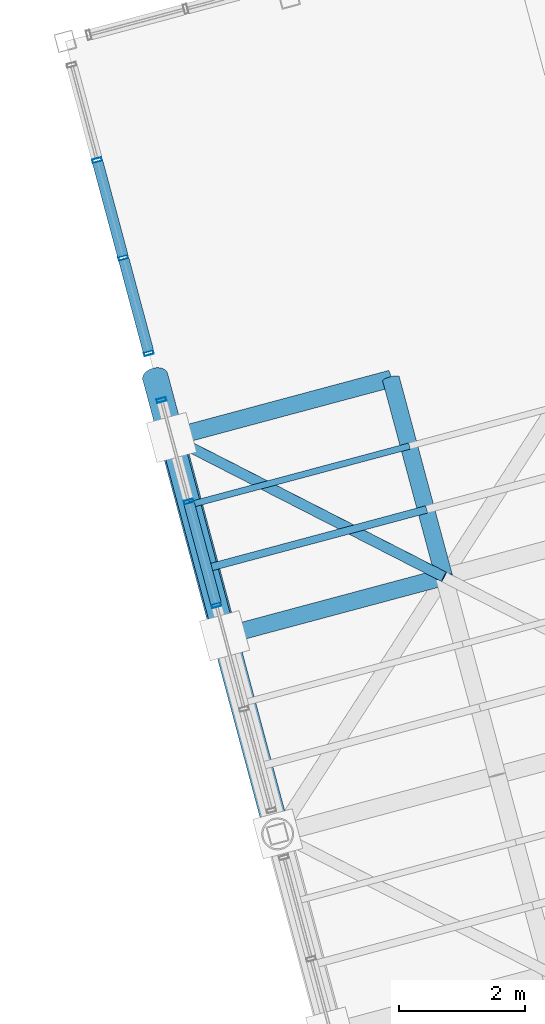
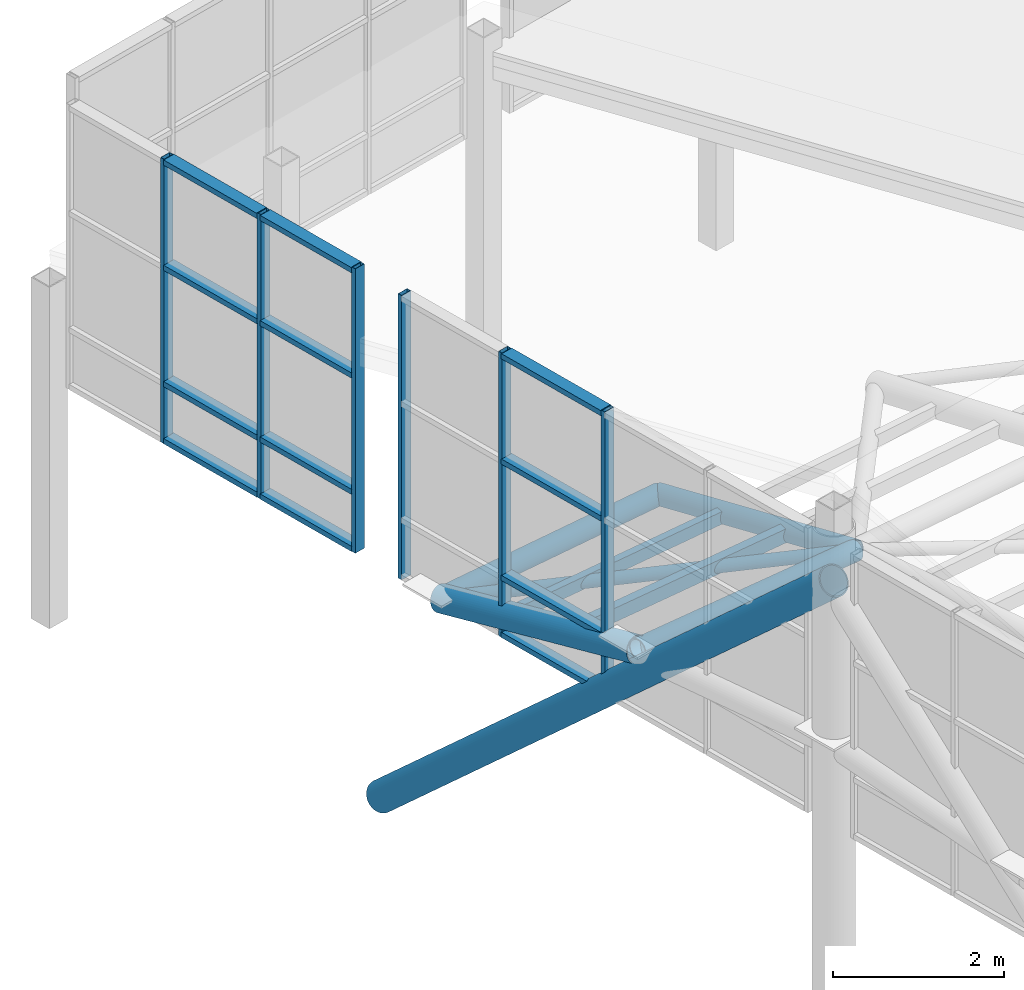
# One storey, part 7 of 28: 26 members, 2 elements without a shape of their own.
"""IFC4 building model written with IfcOpenShell, lengths in metres."""

from ifc_helpers import new_model, si_unit, direction, frame, origin, origin_2d, place, context, subcontext, project, spatial, hollow_rectangle, hollow_circle, extrude, material, layer, layer_set, material_profile, profile_set, type_object, element, aggregate, save


model = new_model("IFC4")

# Units and contexts
model_context = context("Model", 3, precision=1e-05, world=origin(), true_north=direction((0.0, 1.0)))
body_context = subcontext(model_context, "Body", "Model", "MODEL_VIEW")
ifc_project = project(units=[si_unit("LENGTHUNIT", "METRE"), si_unit("AREAUNIT", "SQUARE_METRE"), si_unit("VOLUMEUNIT", "CUBIC_METRE"), si_unit("PLANEANGLEUNIT", "RADIAN"), si_unit("MASSUNIT", "GRAM", prefix="KILO")], contexts=[model_context])

# Site, building, storey
site_placement = place(None, origin())
site = spatial("IfcSite", under=ifc_project, at=site_placement, CompositionType="ELEMENT")
building_placement = place(site_placement, origin())
building = spatial("IfcBuilding", under=site, at=building_placement, Name="Ventoquebrada Cableway Terminal", CompositionType="ELEMENT")
storey_placement = place(building_placement, frame((0.0, 0.0, 23.39990234375)))
storey = spatial("IfcBuildingStorey", under=building, at=storey_placement, Name="RF", CompositionType="ELEMENT", Elevation=23.39990234375)

# Members
ifc_material_1 = material(Name="Steel ASTM A500 Grade C", Category="steel")
ifc_material_profile_1 = material_profile(ifc_material_1, hollow_circle(Radius=0.084228515625, WallThickness=0.008056640625, at=origin_2d()), Name="CHS168.3X8")
ifc_profile_set_1 = profile_set([ifc_material_profile_1], Name="Steel ASTM A500 Grade C")
member_type_1 = type_object("IfcMemberType", Name="BRC-GS02", PredefinedType="BRACE", material=ifc_profile_set_1)
member_1_placement = place(storey_placement, frame((46.930908203125, 88.6201171875, -0.06982421875), z_axis=(0.885458483806, -0.45266443545, 0.105157892402), x_axis=(0.455188209039, 0.890395246142, 0.0)))
element("IfcMember", 1, at=member_1_placement, inside=storey, type_object=member_type_1, Name="Saddle gridshell diagrid brace GBR-0208", PredefinedType="BRACE", context=body_context, shape_type="SweptSolid", body=[
    extrude(hollow_circle(Radius=0.084228515625, WallThickness=0.008056640625, at=origin_2d()), origin(), (0.0, 0.0, 1.0), 4.877685546875),
])
ifc_material_profile_2 = material_profile(ifc_material_1, hollow_circle(Radius=0.177734375, WallThickness=0.012451171875, at=origin_2d()), Name="CHS355.6X12.5")
ifc_profile_set_2 = profile_set([ifc_material_profile_2], Name="Steel ASTM A500 Grade C")
member_type_2 = type_object("IfcMemberType", Name="CHD-GS01", PredefinedType="CHORD", material=ifc_profile_set_2)
member_2_placement = place(storey_placement, frame((47.77197265625, 85.48095703125, 0.80712890625), z_axis=(-0.249861709194, 0.932575284996, -0.260523442503), x_axis=(-0.965931285943, -0.258798668539, 0.0)))
element("IfcMember", 2, at=member_2_placement, inside=storey, type_object=member_type_2, Name="Saddle gridshell arch chord GCH-0020", PredefinedType="CHORD", context=body_context, shape_type="SweptSolid", body=[
    extrude(hollow_circle(Radius=0.177734375, WallThickness=0.012451171875, at=origin_2d()), origin(), (0.0, 0.0, 1.0), 3.3662109375),
])
ifc_material_profile_3 = material_profile(ifc_material_1, hollow_circle(Radius=0.136474609375, WallThickness=0.012451171875, at=origin_2d()), Name="CHS273.0X12.5")
ifc_profile_set_3 = profile_set([ifc_material_profile_3], Name="Steel ASTM A500 Grade C")
member_type_3 = type_object("IfcMemberType", Name="CHD-GS02", PredefinedType="CHORD", material=ifc_profile_set_3)
member_3_placement = place(storey_placement, frame((51.25, 86.412109375, 0.443115234375), z_axis=(-0.251429769219, 0.937558208736, -0.240349071939), x_axis=(-0.965871254698, -0.259022623237, 0.0)))
element("IfcMember", 3, at=member_3_placement, inside=storey, type_object=member_type_3, Name="Saddle gridshell arch chord GCH-0028", PredefinedType="CHORD", context=body_context, shape_type="SweptSolid", body=[
    extrude(hollow_circle(Radius=0.136474609375, WallThickness=0.012451171875, at=origin_2d()), origin(), (0.0, 0.0, 1.0), 3.34912109375),
])
member_4_placement = place(storey_placement, frame((47.77197265625, 85.48095703125, 0.80712890625), z_axis=(0.961080865209, 0.257304676394, -0.100587643551), x_axis=(-0.258616326312, 0.965980121827, 0.0)))
element("IfcMember", 4, at=member_4_placement, inside=storey, type_object=member_type_3, Name="Saddle gridshell longitudinal chord GLG-0153", PredefinedType="CHORD", context=body_context, shape_type="SweptSolid", body=[
    extrude(hollow_circle(Radius=0.136474609375, WallThickness=0.012451171875, at=origin_2d()), origin(), (0.0, 0.0, 1.0), 3.618896484375),
])
member_5_placement = place(storey_placement, frame((46.930908203125, 88.6201171875, -0.06982421875), z_axis=(0.962749089716, 0.258026490342, -0.080848750969), x_axis=(-0.258873944891, 0.965911114263, 0.0)))
element("IfcMember", 5, at=member_5_placement, inside=storey, type_object=member_type_3, Name="Saddle gridshell longitudinal chord GLG-0163", PredefinedType="CHORD", context=body_context, shape_type="SweptSolid", body=[
    extrude(hollow_circle(Radius=0.136474609375, WallThickness=0.012451171875, at=origin_2d()), origin(), (0.0, 0.0, 1.0), 3.611572265625),
])

# Curtain wall, members
ifc_material_2 = material(Name="Anodized thermally-broken aluminium", Category="aluminium")
ifc_layer_1 = layer(ifc_material_2, 0.159912109375)
ifc_layer_set_1 = layer_set([ifc_layer_1], Name="Anodized thermally-broken aluminium")
curtain_wall_type_1 = type_object("IfcCurtainWallType", Name="CW-T50", PredefinedType="USERDEFINED", material=ifc_layer_set_1)
curtain_wall_1_placement = place(storey_placement, origin())
curtain_wall_1 = element("IfcCurtainWall", 6, at=curtain_wall_1_placement, inside=storey, type_object=curtain_wall_type_1, Name="Unitised glazed curtain wall CW-163", ObjectType="UNITISED CURTAIN WALL", PredefinedType="USERDEFINED")
ifc_material_profile_4 = material_profile(ifc_material_2, hollow_rectangle(XDim=0.06005859375, YDim=0.14990234375, WallThickness=0.00390625, at=origin_2d()), Name="CW-MUL-60X150")
ifc_profile_set_4 = profile_set([ifc_material_profile_4], Name="Anodized thermally-broken aluminium")
member_type_4 = type_object("IfcMemberType", Name="CWM-03", PredefinedType="MULLION", material=ifc_profile_set_4)
member_6_placement = place(storey_placement, frame((46.77197265625, 89.214111328125, -0.06298828125), z_axis=(0.0, 0.0, 1.0), x_axis=(0.258802186477, -0.965930343386, 0.0)))
member_6 = element("IfcMember", 7, at=member_6_placement, type_object=member_type_4, Name="Curtain wall mullion FML-0791", PredefinedType="MULLION", context=body_context, shape_type="SweptSolid", body=[
    extrude(hollow_rectangle(XDim=0.06005859375, YDim=0.14990234375, WallThickness=0.00390625, at=origin_2d()), origin(), (0.0, 0.0, 1.0), 4.068115234375),
])
member_7_placement = place(storey_placement, frame((47.202880859375, 87.60595703125, -0.06298828125), z_axis=(0.0, 0.0, 1.0), x_axis=(0.258802186477, -0.965930343386, 0.0)))
member_7 = element("IfcMember", 8, at=member_7_placement, type_object=member_type_4, Name="Curtain wall mullion FML-0792", PredefinedType="MULLION", context=body_context, shape_type="SweptSolid", body=[
    extrude(hollow_rectangle(XDim=0.06005859375, YDim=0.14990234375, WallThickness=0.00390625, at=origin_2d()), origin(), (0.0, 0.0, 1.0), 4.068115234375),
])
member_8_placement = place(storey_placement, frame((47.64306640625, 85.964111328125, -0.06298828125), z_axis=(0.0, 0.0, 1.0), x_axis=(0.258802186477, -0.965930343386, 0.0)))
member_8 = element("IfcMember", 9, at=member_8_placement, type_object=member_type_4, Name="Curtain wall mullion FML-0793", PredefinedType="MULLION", context=body_context, shape_type="SweptSolid", body=[
    extrude(hollow_rectangle(XDim=0.06005859375, YDim=0.14990234375, WallThickness=0.00390625, at=origin_2d()), origin(), (0.0, 0.0, 1.0), 4.068115234375),
])

ifc_layer_2 = layer(ifc_material_2, 0.159912109375)
ifc_layer_set_2 = layer_set([ifc_layer_2], Name="Anodized thermally-broken aluminium")
curtain_wall_type_2 = type_object("IfcCurtainWallType", Name="CW-T49", PredefinedType="USERDEFINED", material=ifc_layer_set_2)
curtain_wall_2_placement = place(storey_placement, origin())
curtain_wall_2 = element("IfcCurtainWall", 10, at=curtain_wall_2_placement, inside=storey, type_object=curtain_wall_type_2, Name="Unitised glazed curtain wall CW-164", ObjectType="UNITISED CURTAIN WALL", PredefinedType="USERDEFINED")
member_9_placement = place(storey_placement, frame((45.7529296875, 93.014892578125, -0.06298828125), z_axis=(0.0, 0.0, 1.0), x_axis=(0.258970769183, -0.965885159172, 0.0)))
member_9 = element("IfcMember", 11, at=member_9_placement, type_object=member_type_4, Name="Curtain wall mullion FML-0797", PredefinedType="MULLION", context=body_context, shape_type="SweptSolid", body=[
    extrude(hollow_rectangle(XDim=0.06005859375, YDim=0.14990234375, WallThickness=0.00390625, at=origin_2d()), origin(), (0.0, 0.0, 1.0), 4.068115234375),
])
member_10_placement = place(storey_placement, frame((46.16796875, 91.468994140625, -0.06298828125), z_axis=(0.0, 0.0, 1.0), x_axis=(0.258970769183, -0.965885159172, 0.0)))
member_10 = element("IfcMember", 12, at=member_10_placement, type_object=member_type_4, Name="Curtain wall mullion FML-0798", PredefinedType="MULLION", context=body_context, shape_type="SweptSolid", body=[
    extrude(hollow_rectangle(XDim=0.06005859375, YDim=0.14990234375, WallThickness=0.00390625, at=origin_2d()), origin(), (0.0, 0.0, 1.0), 4.068115234375),
])
member_11_placement = place(storey_placement, frame((46.572998046875, 89.9580078125, -0.06298828125), z_axis=(0.0, 0.0, 1.0), x_axis=(0.258970769183, -0.965885159172, 0.0)))
member_11 = element("IfcMember", 13, at=member_11_placement, type_object=member_type_4, Name="Curtain wall mullion FML-0799", PredefinedType="MULLION", context=body_context, shape_type="SweptSolid", body=[
    extrude(hollow_rectangle(XDim=0.06005859375, YDim=0.14990234375, WallThickness=0.00390625, at=origin_2d()), origin(), (0.0, 0.0, 1.0), 4.068115234375),
])

# Member
ifc_material_profile_5 = material_profile(ifc_material_2, hollow_rectangle(XDim=0.074951171875, YDim=0.169921875, WallThickness=0.00439453125, at=origin_2d()), Name="CW-TRN-75X170")
ifc_profile_set_5 = profile_set([ifc_material_profile_5], Name="Anodized thermally-broken aluminium")
member_type_5 = type_object("IfcMemberType", Name="CWT-03", PredefinedType="USERDEFINED", material=ifc_profile_set_5)
member_12_placement = place(storey_placement, frame((47.208984375, 87.58203125, -0.02001953125), z_axis=(0.259310305754, -0.965794059481, 0.0), x_axis=(0.0, 0.0, 1.0)))
member_12 = element("IfcMember", 14, at=member_12_placement, type_object=member_type_5, Name="Curtain wall transom FTR-2316", ObjectType="TRANSOM", PredefinedType="USERDEFINED", context=body_context, shape_type="SweptSolid", body=[
    extrude(hollow_rectangle(XDim=0.074951171875, YDim=0.169921875, WallThickness=0.00439453125, at=origin_2d()), origin(), (0.0, 0.0, 1.0), 1.650390625),
])

member_13_placement = place(storey_placement, frame((47.208984375, 87.58203125, 0.795166015625), z_axis=(0.259310305754, -0.965794059481, 0.0), x_axis=(0.0, 0.0, 1.0)))
member_13 = element("IfcMember", 15, at=member_13_placement, type_object=member_type_5, Name="Curtain wall transom FTR-2317", ObjectType="TRANSOM", PredefinedType="USERDEFINED", context=body_context, shape_type="SweptSolid", body=[
    extrude(hollow_rectangle(XDim=0.074951171875, YDim=0.169921875, WallThickness=0.00439453125, at=origin_2d()), origin(), (0.0, 0.0, 1.0), 1.650390625),
])

member_14_placement = place(storey_placement, frame((47.208984375, 87.58203125, 2.458984375), z_axis=(0.259310305754, -0.965794059481, 0.0), x_axis=(0.0, 0.0, 1.0)))
member_14 = element("IfcMember", 16, at=member_14_placement, type_object=member_type_5, Name="Curtain wall transom FTR-2318", ObjectType="TRANSOM", PredefinedType="USERDEFINED", context=body_context, shape_type="SweptSolid", body=[
    extrude(hollow_rectangle(XDim=0.074951171875, YDim=0.169921875, WallThickness=0.00439453125, at=origin_2d()), origin(), (0.0, 0.0, 1.0), 1.650390625),
])

member_15_placement = place(storey_placement, frame((47.208984375, 87.58203125, 3.965087890625), z_axis=(0.259310305754, -0.965794059481, 0.0), x_axis=(0.0, 0.0, 1.0)))
member_15 = element("IfcMember", 17, at=member_15_placement, type_object=member_type_5, Name="Curtain wall transom FTR-2319", ObjectType="TRANSOM", PredefinedType="USERDEFINED", context=body_context, shape_type="SweptSolid", body=[
    extrude(hollow_rectangle(XDim=0.074951171875, YDim=0.169921875, WallThickness=0.00439453125, at=origin_2d()), origin(), (0.0, 0.0, 1.0), 1.650390625),
])

aggregate(curtain_wall_1, [member_6, member_7, member_8, member_12, member_13, member_14, member_15])

member_16_placement = place(storey_placement, frame((45.760009765625, 92.990966796875, -0.02001953125), z_axis=(0.258505244572, -0.966009854261, 0.0), x_axis=(0.0, 0.0, 1.0)))
member_16 = element("IfcMember", 18, at=member_16_placement, type_object=member_type_5, Name="Curtain wall transom FTR-2332", ObjectType="TRANSOM", PredefinedType="USERDEFINED", context=body_context, shape_type="SweptSolid", body=[
    extrude(hollow_rectangle(XDim=0.074951171875, YDim=0.169921875, WallThickness=0.00439453125, at=origin_2d()), origin(), (0.0, 0.0, 1.0), 1.55078125),
])

member_17_placement = place(storey_placement, frame((45.760009765625, 92.990966796875, 0.795166015625), z_axis=(0.258505244572, -0.966009854261, 0.0), x_axis=(0.0, 0.0, 1.0)))
member_17 = element("IfcMember", 19, at=member_17_placement, type_object=member_type_5, Name="Curtain wall transom FTR-2333", ObjectType="TRANSOM", PredefinedType="USERDEFINED", context=body_context, shape_type="SweptSolid", body=[
    extrude(hollow_rectangle(XDim=0.074951171875, YDim=0.169921875, WallThickness=0.00439453125, at=origin_2d()), origin(), (0.0, 0.0, 1.0), 1.55078125),
])

member_18_placement = place(storey_placement, frame((45.760009765625, 92.990966796875, 2.458984375), z_axis=(0.258505244572, -0.966009854261, 0.0), x_axis=(0.0, 0.0, 1.0)))
member_18 = element("IfcMember", 20, at=member_18_placement, type_object=member_type_5, Name="Curtain wall transom FTR-2334", ObjectType="TRANSOM", PredefinedType="USERDEFINED", context=body_context, shape_type="SweptSolid", body=[
    extrude(hollow_rectangle(XDim=0.074951171875, YDim=0.169921875, WallThickness=0.00439453125, at=origin_2d()), origin(), (0.0, 0.0, 1.0), 1.55078125),
])

member_19_placement = place(storey_placement, frame((45.760009765625, 92.990966796875, 3.965087890625), z_axis=(0.258505244572, -0.966009854261, 0.0), x_axis=(0.0, 0.0, 1.0)))
member_19 = element("IfcMember", 21, at=member_19_placement, type_object=member_type_5, Name="Curtain wall transom FTR-2335", ObjectType="TRANSOM", PredefinedType="USERDEFINED", context=body_context, shape_type="SweptSolid", body=[
    extrude(hollow_rectangle(XDim=0.074951171875, YDim=0.169921875, WallThickness=0.00439453125, at=origin_2d()), origin(), (0.0, 0.0, 1.0), 1.55078125),
])

member_20_placement = place(storey_placement, frame((46.174072265625, 91.445068359375, -0.02001953125), z_axis=(0.258695801692, -0.965958840835, 0.0), x_axis=(0.0, 0.0, 1.0)))
member_20 = element("IfcMember", 22, at=member_20_placement, type_object=member_type_5, Name="Curtain wall transom FTR-2336", ObjectType="TRANSOM", PredefinedType="USERDEFINED", context=body_context, shape_type="SweptSolid", body=[
    extrude(hollow_rectangle(XDim=0.074951171875, YDim=0.169921875, WallThickness=0.00439453125, at=origin_2d()), origin(), (0.0, 0.0, 1.0), 1.5146484375),
])

member_21_placement = place(storey_placement, frame((46.174072265625, 91.445068359375, 0.795166015625), z_axis=(0.258695801692, -0.965958840835, 0.0), x_axis=(0.0, 0.0, 1.0)))
member_21 = element("IfcMember", 23, at=member_21_placement, type_object=member_type_5, Name="Curtain wall transom FTR-2337", ObjectType="TRANSOM", PredefinedType="USERDEFINED", context=body_context, shape_type="SweptSolid", body=[
    extrude(hollow_rectangle(XDim=0.074951171875, YDim=0.169921875, WallThickness=0.00439453125, at=origin_2d()), origin(), (0.0, 0.0, 1.0), 1.5146484375),
])

member_22_placement = place(storey_placement, frame((46.174072265625, 91.445068359375, 2.458984375), z_axis=(0.258695801692, -0.965958840835, 0.0), x_axis=(0.0, 0.0, 1.0)))
member_22 = element("IfcMember", 24, at=member_22_placement, type_object=member_type_5, Name="Curtain wall transom FTR-2338", ObjectType="TRANSOM", PredefinedType="USERDEFINED", context=body_context, shape_type="SweptSolid", body=[
    extrude(hollow_rectangle(XDim=0.074951171875, YDim=0.169921875, WallThickness=0.00439453125, at=origin_2d()), origin(), (0.0, 0.0, 1.0), 1.5146484375),
])

member_23_placement = place(storey_placement, frame((46.174072265625, 91.445068359375, 3.965087890625), z_axis=(0.258695801692, -0.965958840835, 0.0), x_axis=(0.0, 0.0, 1.0)))
member_23 = element("IfcMember", 25, at=member_23_placement, type_object=member_type_5, Name="Curtain wall transom FTR-2339", ObjectType="TRANSOM", PredefinedType="USERDEFINED", context=body_context, shape_type="SweptSolid", body=[
    extrude(hollow_rectangle(XDim=0.074951171875, YDim=0.169921875, WallThickness=0.00439453125, at=origin_2d()), origin(), (0.0, 0.0, 1.0), 1.5146484375),
])

aggregate(curtain_wall_2, [member_9, member_10, member_11, member_16, member_17, member_18, member_19, member_20, member_21, member_22, member_23])

# Members
ifc_material_profile_6 = material_profile(ifc_material_1, hollow_rectangle(XDim=0.1201171875, YDim=0.199951171875, WallThickness=0.008056640625, at=origin_2d()), Name="RHS200X120X8")
ifc_profile_set_6 = profile_set([ifc_material_profile_6], Name="Steel ASTM A500 Grade C")
member_type_6 = type_object("IfcMemberType", Name="PUR-RF01", PredefinedType="PURLIN", material=ifc_profile_set_6)
member_24_placement = place(storey_placement, frame((47.486083984375, 86.548095703125, 0.509033203125), z_axis=(0.96165554023, 0.25766104149, -0.093964938369), x_axis=(-0.25880612736, 0.965929287495, 0.0)))
element("IfcMember", 26, at=member_24_placement, inside=storey, type_object=member_type_6, Name="Gridshell secondary roof purlin GPR-0209", PredefinedType="PURLIN", context=body_context, shape_type="SweptSolid", body=[
    extrude(hollow_rectangle(XDim=0.1201171875, YDim=0.199951171875, WallThickness=0.008056640625, at=origin_2d()), origin(), (0.0, 0.0, 1.0), 3.61669921875),
])
ifc_material_profile_7 = material_profile(ifc_material_1, hollow_rectangle(XDim=0.10009765625, YDim=0.179931640625, WallThickness=0.008056640625, at=origin_2d()), Name="RHS180X100X8")
ifc_profile_set_7 = profile_set([ifc_material_profile_7], Name="Steel ASTM A500 Grade C")
member_type_7 = type_object("IfcMemberType", Name="PUR-RF02", PredefinedType="PURLIN", material=ifc_profile_set_7)
member_25_placement = place(storey_placement, frame((47.217041015625, 87.552978515625, 0.22802734375), z_axis=(0.962279792874, 0.257630448689, -0.087430842015), x_axis=(-0.258620813366, 0.965978920523, 0.0)))
element("IfcMember", 27, at=member_25_placement, inside=storey, type_object=member_type_7, Name="Gridshell secondary roof purlin GPR-0210", PredefinedType="PURLIN", context=body_context, shape_type="SweptSolid", body=[
    extrude(hollow_rectangle(XDim=0.10009765625, YDim=0.179931640625, WallThickness=0.008056640625, at=origin_2d()), origin(), (0.0, 0.0, 1.0), 3.61328125),
])
ifc_material_profile_8 = material_profile(ifc_material_1, hollow_circle(Radius=0.203125, WallThickness=0.01611328125, at=origin_2d()), Name="CHS406.4X16")
ifc_profile_set_8 = profile_set([ifc_material_profile_8], Name="Steel ASTM A500 Grade C")
member_type_8 = type_object("IfcMemberType", Name="STR-RK01", PredefinedType="STRUT", material=ifc_profile_set_8)
member_26_placement = place(storey_placement, frame((46.672119140625, 89.5859375, -3.39990234375), z_axis=(0.191713941728, -0.715611474314, 0.671674014964), x_axis=(0.965937155273, 0.258776761059, 0.0)))
element("IfcMember", 28, at=member_26_placement, inside=storey, type_object=member_type_8, Name="Portal mast stay strut MST-ST-0434", PredefinedType="STRUT", context=body_context, shape_type="SweptSolid", body=[
    extrude(hollow_circle(Radius=0.203125, WallThickness=0.01611328125, at=origin_2d()), origin(), (0.0, 0.0, 1.0), 10.1240234375),
])

save(model, "model.ifc")
